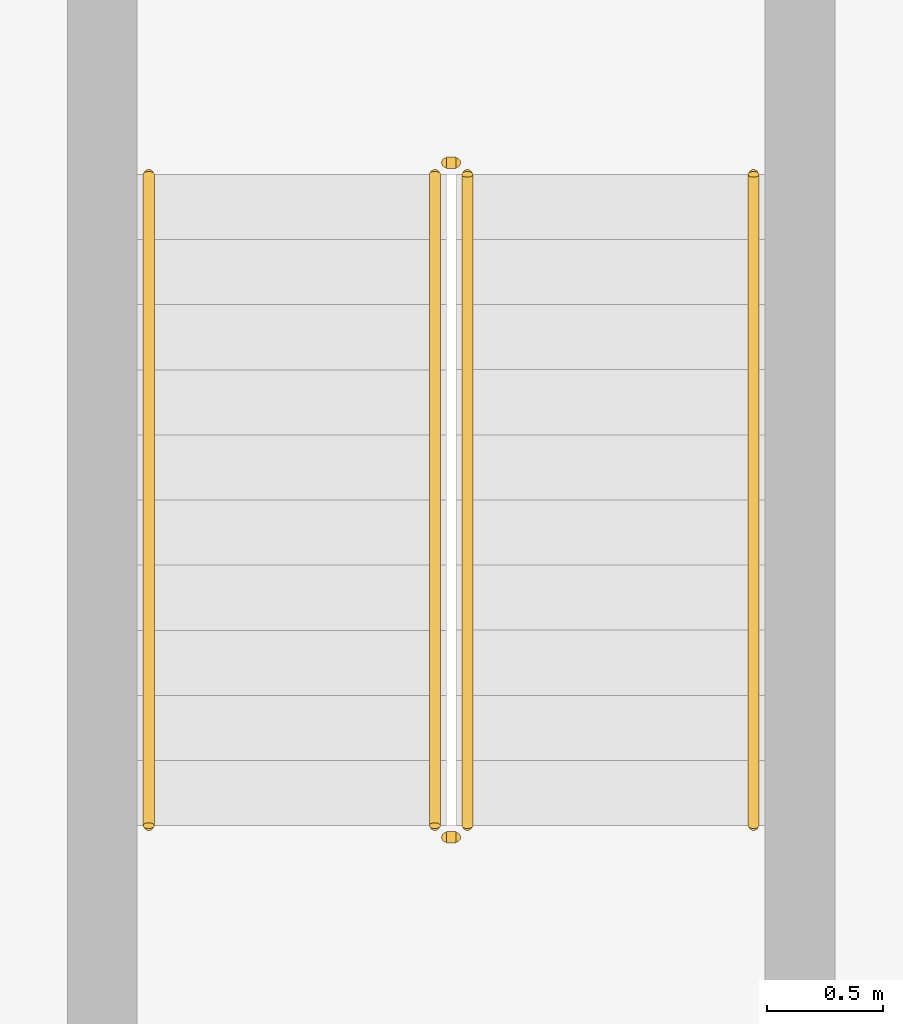
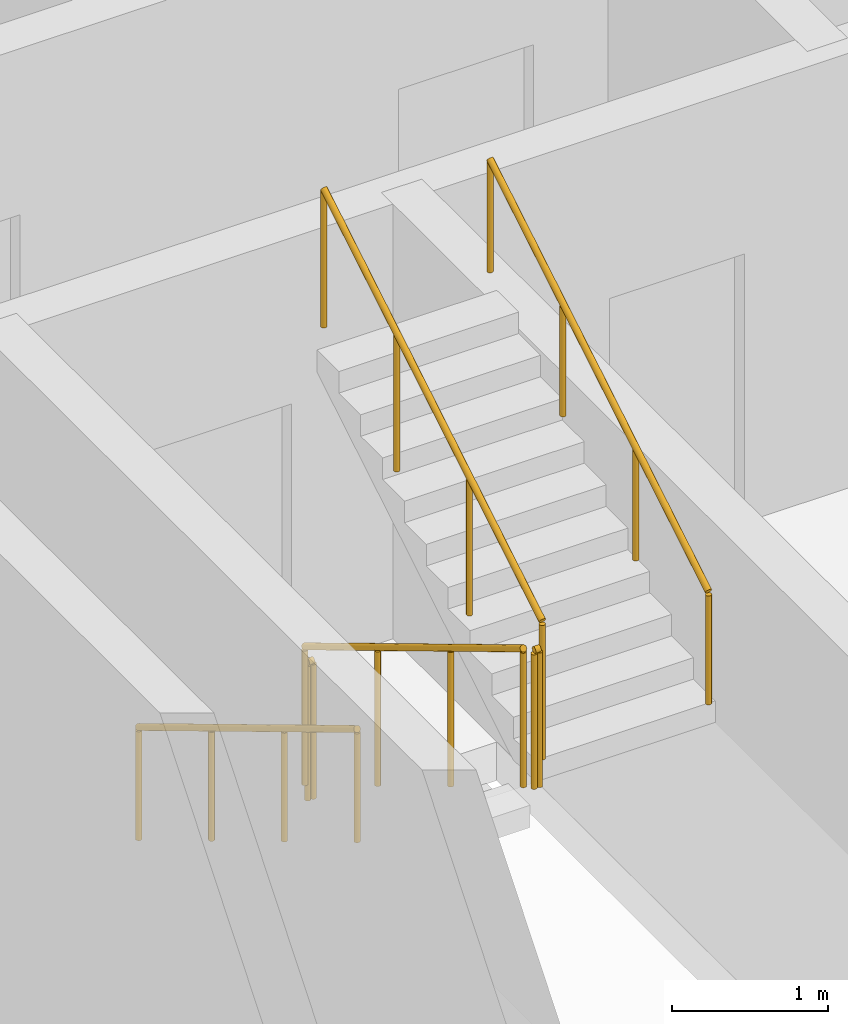
# One storey, part 21 of 22: 6 railings.
"""IFC4 building model written with IfcOpenShell, lengths in metres."""

from ifc_helpers import new_model, si_unit, direction, frame, origin, origin_2d, place, context, subcontext, project, spatial, circle, extrude, material, type_object, element, save


model = new_model("IFC4")

# Units and contexts
model_context = context("Model", 3, precision=1e-05, world=origin(), true_north=direction((0.0, 1.0)))
body_context = subcontext(model_context, "Body", "Model", "MODEL_VIEW")
ifc_project = project(units=[si_unit("LENGTHUNIT", "METRE"), si_unit("AREAUNIT", "SQUARE_METRE"), si_unit("VOLUMEUNIT", "CUBIC_METRE"), si_unit("PLANEANGLEUNIT", "RADIAN"), si_unit("MASSUNIT", "GRAM", prefix="KILO")], contexts=[model_context])

# Site, building, storey
site_placement = place(None, origin())
site = spatial("IfcSite", under=ifc_project, at=site_placement, CompositionType="ELEMENT")
building_placement = place(site_placement, origin())
building = spatial("IfcBuilding", under=site, at=building_placement, Name="Ogive Portal Towers", CompositionType="ELEMENT")
storey_placement = place(building_placement, frame((0.0, 0.0, 131.5)))
storey = spatial("IfcBuildingStorey", under=building, at=storey_placement, Name="L32", CompositionType="ELEMENT", Elevation=131.5)

# Railings
ifc_material_1 = material(Name="Stainless steel balustrade", Category="steel")
railing_type_1 = type_object("IfcRailingType", Name="INT-GUARD", PredefinedType="GUARDRAIL", material=ifc_material_1)
railing_1_placement = place(storey_placement, frame((88.280029296875, 29.169921875, 0.168212890625)))
element("IfcRailing", 1, at=railing_1_placement, inside=storey, type_object=railing_type_1, Name="L32 ST-A4 stair guard 1", PredefinedType="GUARDRAIL", context=body_context, shape_type="SweptSolid", body=[
    extrude(circle(Radius=0.02392578125, at=origin_2d()), frame((0.0, 0.0, 1.076171875), z_axis=(0.0, -0.857222391501, 0.514946377315), x_axis=(1.0, 0.0, 0.0)), (0.0, 0.0, 1.0), 3.26611328125),
    extrude(circle(Radius=0.02099609375, at=origin_2d()), origin(), (0.0, 0.0, 1.0), 1.052001953125),
    extrude(circle(Radius=0.02099609375, at=origin_2d()), frame((0.0, -0.933349609375, 0.560546875)), (0.0, 0.0, 1.0), 1.052001953125),
    extrude(circle(Radius=0.02099609375, at=origin_2d()), frame((0.0, -1.866455078125, 1.121337890625)), (0.0, 0.0, 1.0), 1.052001953125),
    extrude(circle(Radius=0.02099609375, at=origin_2d()), frame((0.0, -2.7998046875, 1.681884765625)), (0.0, 0.0, 1.0), 1.052001953125),
])
railing_2_placement = place(storey_placement, frame((88.330078125, 26.320068359375, 1.85009765625)))
element("IfcRailing", 2, at=railing_2_placement, inside=storey, type_object=railing_type_1, Name="L32 ST-A4 stair guard 2", PredefinedType="GUARDRAIL", context=body_context, shape_type="SweptSolid", body=[
    extrude(circle(Radius=0.02392578125, at=origin_2d()), frame((0.0, 0.0, 1.076171875), z_axis=(1.0, 0.0, 0.0), x_axis=(0.0, 1.0, 0.0)), (0.0, 0.0, 1.0), 0.0400390625),
    extrude(circle(Radius=0.02099609375, at=origin_2d()), origin(), (0.0, 0.0, 1.0), 1.052001953125),
    extrude(circle(Radius=0.02099609375, at=origin_2d()), frame((0.0400390625, 0.0, 0.0)), (0.0, 0.0, 1.0), 1.052001953125),
])
railing_3_placement = place(storey_placement, frame((88.419921875, 26.3701171875, 2.01806640625)))
element("IfcRailing", 3, at=railing_3_placement, inside=storey, type_object=railing_type_1, Name="L32 ST-A4 stair guard 3", PredefinedType="GUARDRAIL", context=body_context, shape_type="SweptSolid", body=[
    extrude(circle(Radius=0.02392578125, at=origin_2d()), frame((0.0, 0.0, 1.076171875), z_axis=(0.0, 0.857222391501, 0.514946377315), x_axis=(-1.0, 0.0, 0.0)), (0.0, 0.0, 1.0), 3.26611328125),
    extrude(circle(Radius=0.02099609375, at=origin_2d()), origin(), (0.0, 0.0, 1.0), 1.052001953125),
    extrude(circle(Radius=0.02099609375, at=origin_2d()), frame((0.0, 0.933349609375, 0.560546875)), (0.0, 0.0, 1.0), 1.052001953125),
    extrude(circle(Radius=0.02099609375, at=origin_2d()), frame((0.0, 1.866455078125, 1.121337890625)), (0.0, 0.0, 1.0), 1.052001953125),
    extrude(circle(Radius=0.02099609375, at=origin_2d()), frame((0.0, 2.7998046875, 1.681884765625)), (0.0, 0.0, 1.0), 1.052001953125),
])
railing_4_placement = place(storey_placement, frame((88.330078125, 29.219970703125, 0.0)))
element("IfcRailing", 4, at=railing_4_placement, inside=storey, type_object=railing_type_1, Name="L32 ST-A4 stair guard 4", PredefinedType="GUARDRAIL", context=body_context, shape_type="SweptSolid", body=[
    extrude(circle(Radius=0.02392578125, at=origin_2d()), frame((0.0, 0.0, 1.076171875), z_axis=(1.0, 0.0, 0.0), x_axis=(0.0, 1.0, 0.0)), (0.0, 0.0, 1.0), 0.0400390625),
    extrude(circle(Radius=0.02099609375, at=origin_2d()), origin(), (0.0, 0.0, 1.0), 1.052001953125),
    extrude(circle(Radius=0.02099609375, at=origin_2d()), frame((0.0400390625, 0.0, 0.0)), (0.0, 0.0, 1.0), 1.052001953125),
])
ifc_material_2 = material(Name="Stainless steel handrail", Category="steel")
railing_type_2 = type_object("IfcRailingType", Name="INT-HANDRAIL", PredefinedType="HANDRAIL", material=ifc_material_2)
railing_5_placement = place(storey_placement, frame((87.050048828125, 29.169921875, 0.168212890625)))
element("IfcRailing", 5, at=railing_5_placement, inside=storey, type_object=railing_type_2, Name="L32 ST-A4 stair handrail 1", PredefinedType="HANDRAIL", context=body_context, shape_type="SweptSolid", body=[
    extrude(circle(Radius=0.02392578125, at=origin_2d()), frame((0.0, 0.0, 0.8759765625), z_axis=(0.0, -0.857222391501, 0.514946377315), x_axis=(1.0, 0.0, 0.0)), (0.0, 0.0, 1.0), 3.26611328125),
    extrude(circle(Radius=0.02099609375, at=origin_2d()), origin(), (0.0, 0.0, 1.0), 0.851806640625),
    extrude(circle(Radius=0.02099609375, at=origin_2d()), frame((0.0, -0.933349609375, 0.560546875)), (0.0, 0.0, 1.0), 0.851806640625),
    extrude(circle(Radius=0.02099609375, at=origin_2d()), frame((0.0, -1.866455078125, 1.121337890625)), (0.0, 0.0, 1.0), 0.851806640625),
    extrude(circle(Radius=0.02099609375, at=origin_2d()), frame((0.0, -2.7998046875, 1.681884765625)), (0.0, 0.0, 1.0), 0.851806640625),
])
railing_6_placement = place(storey_placement, frame((89.64990234375, 26.3701171875, 2.01806640625)))
element("IfcRailing", 6, at=railing_6_placement, inside=storey, type_object=railing_type_2, Name="L32 ST-A4 stair handrail 2", PredefinedType="HANDRAIL", context=body_context, shape_type="SweptSolid", body=[
    extrude(circle(Radius=0.02392578125, at=origin_2d()), frame((0.0, 0.0, 0.8759765625), z_axis=(0.0, 0.857222391501, 0.514946377315), x_axis=(-1.0, 0.0, 0.0)), (0.0, 0.0, 1.0), 3.26611328125),
    extrude(circle(Radius=0.02099609375, at=origin_2d()), origin(), (0.0, 0.0, 1.0), 0.851806640625),
    extrude(circle(Radius=0.02099609375, at=origin_2d()), frame((0.0, 0.933349609375, 0.560546875)), (0.0, 0.0, 1.0), 0.851806640625),
    extrude(circle(Radius=0.02099609375, at=origin_2d()), frame((0.0, 1.866455078125, 1.121337890625)), (0.0, 0.0, 1.0), 0.851806640625),
    extrude(circle(Radius=0.02099609375, at=origin_2d()), frame((0.0, 2.7998046875, 1.681884765625)), (0.0, 0.0, 1.0), 0.851806640625),
])

save(model, "model.ifc")
